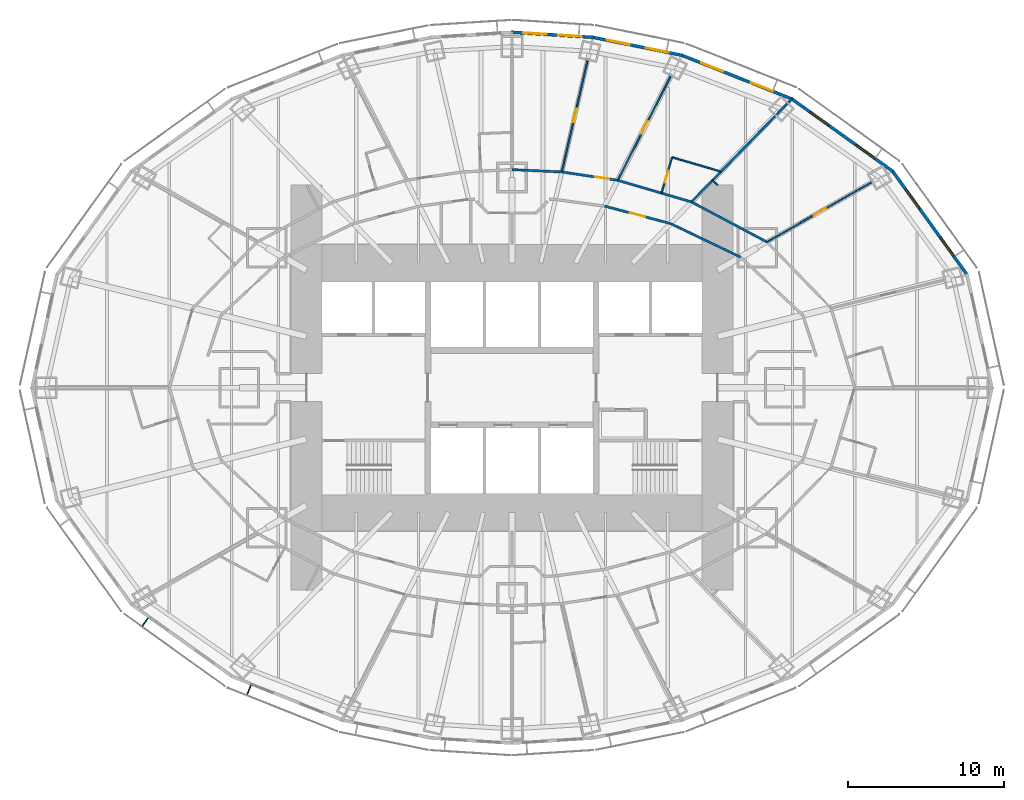
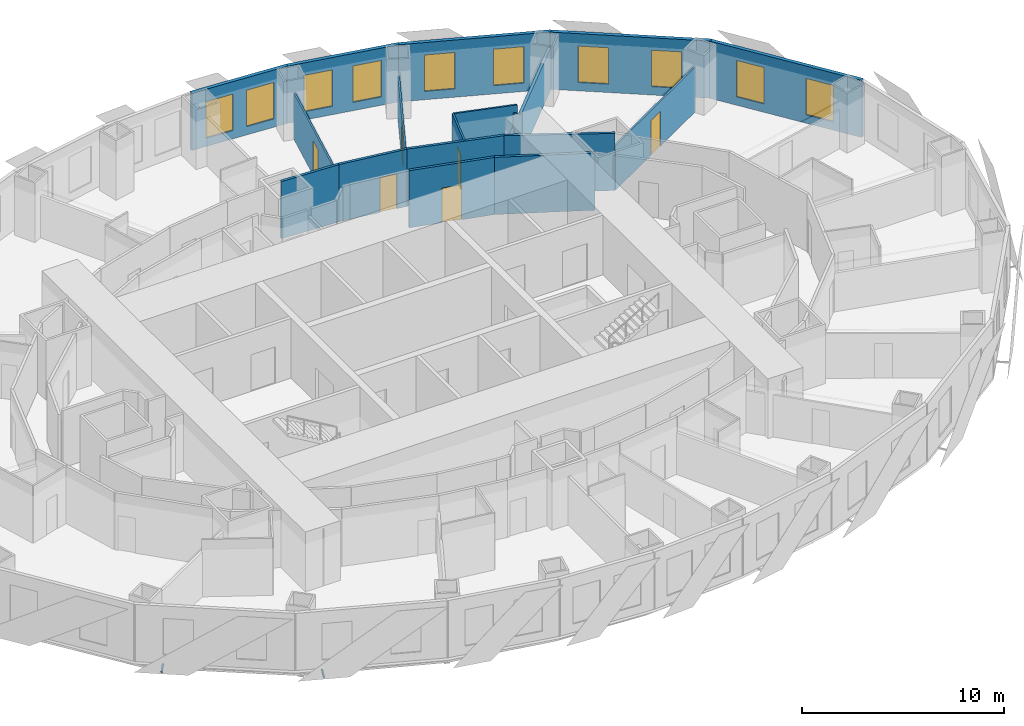
# One storey, part 10 of 15: 18 walls, 10 windows, 6 doors, 2 discrete accessories, 16 openings.
"""IFC4 building model written with IfcOpenShell, lengths in metres."""

import ifcopenshell
import ifcopenshell.guid

model = None  # the IFC model being written
_history = None  # IfcOwnerHistory: only IFC2X3 demands one
_inside = {}  # id of a spatial element -> (the spatial element, [elements in it])
_under = {}  # id of a project, library or spatial element -> (it, [spatial elements below it])
_declared = {}  # id of a project -> (the project, [libraries it declares])
_typed = {}  # id of a type object -> (the type object, [elements of that type])
_made_of = {}  # id of a material, layer set ... -> (it, [elements and type objects made of it])


def new_model(schema):
    """Start an empty IFC model of exactly this schema.

    Asked for "IFC4X3", IfcOpenShell would pick the latest addendum, in which some entities
    have other attributes; the version numbers below select the first issue.
    IFC2X3 requires an IfcOwnerHistory on every rooted entity: one is made here for all.
    """
    global model, _history
    if schema == "IFC4X3":
        model = ifcopenshell.file(schema_version=(4, 3, 0, 0))
    else:
        model = ifcopenshell.file(schema=schema)
    _inside.clear()
    _under.clear()
    _declared.clear()
    _typed.clear()
    _made_of.clear()
    _history = None
    if model.schema == "IFC2X3":
        org = make("IfcOrganization", Name="unknown")
        user = make(
            "IfcPersonAndOrganization",
            ThePerson=make("IfcPerson", FamilyName="unknown"),
            TheOrganization=org,
        )
        app = make(
            "IfcApplication",
            ApplicationDeveloper=org,
            Version="unknown",
            ApplicationFullName="unknown",
            ApplicationIdentifier="unknown",
        )
        _history = make(
            "IfcOwnerHistory",
            OwningUser=user,
            OwningApplication=app,
            ChangeAction="ADDED",
            CreationDate=0,
        )
    return model


def make(cls, **values):
    """One entity of the class cls with the attributes given. An attribute that is None is left unset."""
    return model.create_entity(
        cls, **{name: value for name, value in values.items() if value is not None}
    )


def rooted(cls, **values):
    """An entity with a GlobalId (a new one), such as an element, a storey or a relation."""
    return make(cls, GlobalId=ifcopenshell.guid.new(), OwnerHistory=_history, **values)


def si_unit(unit_type, name, prefix=None):
    """IfcSIUnit, for example si_unit("LENGTHUNIT", "METRE", prefix="MILLI")."""
    return make("IfcSIUnit", UnitType=unit_type, Prefix=prefix, Name=name)


def assignment(units):
    """IfcUnitAssignment: the units of a project."""
    return None if units is None else make("IfcUnitAssignment", Units=units)


def point(xyz):
    """IfcCartesianPoint."""
    return None if xyz is None else make("IfcCartesianPoint", Coordinates=xyz)


def direction(xyz):
    """IfcDirection."""
    return None if xyz is None else make("IfcDirection", DirectionRatios=xyz)


def frame(location, z_axis=None, x_axis=None):
    """IfcAxis2Placement3D, a coordinate frame: its origin and axes. An axis left out is left unset."""
    return make(
        "IfcAxis2Placement3D",
        Location=point(location),
        Axis=direction(z_axis),
        RefDirection=direction(x_axis),
    )


def frame_2d(location, x_axis=None):
    """IfcAxis2Placement2D, a coordinate frame in the plane: its origin and x axis."""
    return make(
        "IfcAxis2Placement2D", Location=point(location), RefDirection=direction(x_axis)
    )


def origin():
    """The frame at (0, 0, 0) with its axes left unset."""
    return frame((0.0, 0.0, 0.0))


def origin_2d():
    """The frame at (0, 0) in the plane with its x axis left unset."""
    return frame_2d((0.0, 0.0))


def place(relative_to, where):
    """IfcLocalPlacement: puts the frame where relative to a parent placement (None: the world)."""
    return make(
        "IfcLocalPlacement", PlacementRelTo=relative_to, RelativePlacement=where
    )


def context(
    kind, dimensions, precision=None, world=None, true_north=None, identifier=None
):
    """IfcGeometricRepresentationContext, for example the 3D "Model" context."""
    return make(
        "IfcGeometricRepresentationContext",
        ContextIdentifier=identifier,
        ContextType=kind,
        CoordinateSpaceDimension=dimensions,
        Precision=precision,
        WorldCoordinateSystem=world,
        TrueNorth=true_north,
    )


def subcontext(parent, identifier, kind, view, scale=None):
    """IfcGeometricRepresentationSubContext, for example "Body" below "Model"."""
    return make(
        "IfcGeometricRepresentationSubContext",
        ContextIdentifier=identifier,
        ContextType=kind,
        ParentContext=parent,
        TargetScale=scale,
        TargetView=view,
    )


def project(units=None, contexts=None):
    """IfcProject with its units and contexts."""
    return rooted(
        "IfcProject",
        Name="project",
        RepresentationContexts=contexts,
        UnitsInContext=assignment(units),
    )


def spatial(cls, under=None, at=None, **own):
    """A site, building, storey or space (cls), placed at a placement, below another one or the project."""
    s = rooted(cls, ObjectPlacement=at, **own)
    if under is not None:
        _under.setdefault(under.id(), (under, []))[1].append(s)
    return s


def profile(cls, at=None, kind="AREA", **sizes):
    """A parametric profile (cls). Its sizes go by their IFC names, for example OverallWidth=200.0."""
    return make(cls, ProfileType=kind, Position=at, **sizes)


def rectangle(**sizes):
    """IfcRectangleProfileDef."""
    return profile("IfcRectangleProfileDef", **sizes)


def extrude(swept, where, along, depth):
    """IfcExtrudedAreaSolid: the profile swept, set in the frame where, extruded along a direction by depth."""
    return make(
        "IfcExtrudedAreaSolid",
        SweptArea=swept,
        Position=where,
        ExtrudedDirection=direction(along),
        Depth=depth,
    )


def shape(context_of_items, identifier, shape_type, items):
    """IfcShapeRepresentation: the items that make up one representation, for example the "Body"."""
    return make(
        "IfcShapeRepresentation",
        ContextOfItems=context_of_items,
        RepresentationIdentifier=identifier,
        RepresentationType=shape_type,
        Items=items,
    )


def material(Name=None, Category=None):
    """IfcMaterial."""
    return make("IfcMaterial", Name=Name, Category=Category)


def layer(
    of_material, thickness, ventilated=None, Name=None, Category=None, Priority=None
):
    """IfcMaterialLayer: one layer of a wall or slab, of a material (None: an air gap)."""
    return make(
        "IfcMaterialLayer",
        Material=of_material,
        LayerThickness=thickness,
        IsVentilated=ventilated,
        Name=Name,
        Category=Category,
        Priority=Priority,
    )


def layer_set(layers, Name=None):
    """IfcMaterialLayerSet."""
    return make("IfcMaterialLayerSet", MaterialLayers=layers, LayerSetName=Name)


def made_of(thing, what):
    """Note that an element or type object is made of a material, layer set ...; save() writes the relation."""
    if what is not None:
        _made_of.setdefault(what.id(), (what, []))[1].append(thing)
    return thing


def type_object(cls, material=None, **own):
    """A type object (cls), such as IfcWallType, which elements share."""
    return made_of(rooted(cls, **own), material)


def element(
    cls,
    number,
    at=None,
    inside=None,
    cuts=None,
    type_object=None,
    material=None,
    context=None,
    identifier="Body",
    shape_type=None,
    held_by="IfcProductDefinitionShape",
    body=None,
    shapes=None,
    **own,
):
    """One element of the class cls, such as IfcWall. Its Tag is "e" and its number.

    at: its placement. inside: the storey or other place that contains it. cuts: it is an
    opening in that element (IfcRelVoidsElement). A single representation is given by context,
    identifier, shape_type and body (its items); several are given by shapes. held_by: the class
    of the entity that holds the representations. save() writes the other relations.
    """
    e = rooted(cls, Tag="e%d" % number, ObjectPlacement=at, **own)
    if body is not None:
        shapes = [shape(context, identifier, shape_type, body)]
    if shapes is not None:
        e.Representation = make(held_by, Representations=shapes)
    if inside is not None:
        _inside.setdefault(inside.id(), (inside, []))[1].append(e)
    if cuts is not None:
        rooted(
            "IfcRelVoidsElement", RelatingBuildingElement=cuts, RelatedOpeningElement=e
        )
    if type_object is not None:
        _typed.setdefault(type_object.id(), (type_object, []))[1].append(e)
    return made_of(e, material)


def fill(opening, filler):
    """IfcRelFillsElement: the door or window that sits in an opening."""
    return rooted(
        "IfcRelFillsElement",
        RelatingOpeningElement=opening,
        RelatedBuildingElement=filler,
    )


def aggregate(whole, parts):
    """IfcRelAggregates: a whole, such as a stair, and the parts it consists of."""
    return rooted("IfcRelAggregates", RelatingObject=whole, RelatedObjects=parts)


def save(model, path):
    """Write the relations noted so far, then the file.

    IfcRelAggregates (storeys below a building ...), IfcRelContainedInSpatialStructure (elements
    in a storey), IfcRelDefinesByType, IfcRelAssociatesMaterial and IfcRelDeclares: one each for
    every whole, place, type object, material and project.
    """
    for whole, parts in _under.values():
        aggregate(whole, parts)
    for where, things in _inside.values():
        rooted(
            "IfcRelContainedInSpatialStructure",
            RelatedElements=things,
            RelatingStructure=where,
        )
    for kind, things in _typed.values():
        rooted("IfcRelDefinesByType", RelatedObjects=things, RelatingType=kind)
    for what, things in _made_of.values():
        rooted("IfcRelAssociatesMaterial", RelatedObjects=things, RelatingMaterial=what)
    for by, libraries in _declared.values():
        rooted("IfcRelDeclares", RelatingContext=by, RelatedDefinitions=libraries)
    model.write(path)


model = new_model("IFC4")

# Units and contexts
model_context = context("Model", 3, precision=1e-05, world=origin(), true_north=direction((0.0, 1.0)))
body_context = subcontext(model_context, "Body", "Model", "MODEL_VIEW")
ifc_project = project(units=[si_unit("LENGTHUNIT", "METRE"), si_unit("AREAUNIT", "SQUARE_METRE"), si_unit("VOLUMEUNIT", "CUBIC_METRE"), si_unit("PLANEANGLEUNIT", "RADIAN"), si_unit("MASSUNIT", "GRAM", prefix="KILO")], contexts=[model_context])

# Site, building, storey
site_placement = place(None, origin())
site = spatial("IfcSite", under=ifc_project, at=site_placement, CompositionType="ELEMENT")
building_placement = place(site_placement, origin())
building = spatial("IfcBuilding", under=site, at=building_placement, Name="Lantaw Convention Tower", CompositionType="ELEMENT")
storey_placement = place(building_placement, frame((0.0, 0.0, 80.199951171875)))
storey = spatial("IfcBuildingStorey", under=building, at=storey_placement, Name="L18", CompositionType="ELEMENT", Elevation=80.199951171875)

# Wall, opening, door
ifc_material_1 = material(Name="Moisture resistant gypsum board on steel studs", Category="steel")
ifc_layer_1 = layer(ifc_material_1, 0.10009765625)
ifc_layer_set_1 = layer_set([ifc_layer_1], Name="Bathroom wall 100")
wall_type_1 = type_object("IfcWallType", Name="Bathroom wall 100", PredefinedType="PARTITIONING", material=ifc_layer_set_1)
wall_1_placement = place(storey_placement, frame((9.599609375, 12.4912109375, 0.0), z_axis=(0.0, 0.0, 1.0), x_axis=(0.281687126576, 0.959506311976, 0.0)))
wall_1 = element("IfcWall", 1, at=wall_1_placement, inside=storey, type_object=wall_type_1, Name="Bathroom wall 100", PredefinedType="PARTITIONING", context=body_context, shape_type="SweptSolid", body=[
    extrude(rectangle(XDim=2.39990234375, YDim=0.10009765625, at=frame_2d((1.199951171875, 0.0))), origin(), (0.0, 0.0, 1.0), 3.449951171875),
])
opening_1_placement = place(wall_1_placement, frame((0.699951171875, 0.0, 0.0)))
opening_1 = element("IfcOpeningElement", 2, at=opening_1_placement, cuts=wall_1, Name="Opening L18.29", PredefinedType="OPENING", context=body_context, shape_type="SweptSolid", body=[
    extrude(rectangle(XDim=0.800048828125, YDim=2.10009765625, at=frame_2d((0.39990234375, 1.050048828125))), frame((0.0, 0.06005859375, 0.0), z_axis=(0.0, -1.0, 0.0), x_axis=(1.0, 0.0, 0.0)), (0.0, 0.0, 1.0), 0.1201171875),
])
ifc_material_2 = material(Name="Timber", Category="wood")
door_type_1 = type_object("IfcDoorType", Name="Bathroom door 800", OperationType="SINGLE_SWING_LEFT", PredefinedType="DOOR", material=ifc_material_2)
door_1_placement = place(opening_1_placement, origin())
door_1 = element("IfcDoor", 3, at=door_1_placement, inside=storey, type_object=door_type_1, Name="Bathroom door", OperationType="SINGLE_SWING_LEFT", OverallHeight=2.10009765625, OverallWidth=0.800048828125, PredefinedType="DOOR", context=body_context, shape_type="SweptSolid", body=[
    extrude(rectangle(XDim=0.800048828125, YDim=2.10009765625, at=frame_2d((0.39990234375, 1.050048828125))), frame((0.0, 0.02490234375, 0.0), z_axis=(0.0, -1.0, 0.0), x_axis=(1.0, 0.0, 0.0)), (0.0, 0.0, 1.0), 0.050048828125),
])
fill(opening_1, door_1)

# Walls
wall_2_placement = place(storey_placement, frame((10.275634765625, 14.7939453125, 0.0), z_axis=(0.0, 0.0, 1.0), x_axis=(0.959495516486, -0.281723896473, 0.0)))
element("IfcWall", 4, at=wall_2_placement, inside=storey, type_object=wall_type_1, Name="Bathroom wall 100", PredefinedType="PARTITIONING", context=body_context, shape_type="SweptSolid", body=[
    extrude(rectangle(XDim=3.256591796875, YDim=0.10009765625, at=frame_2d((1.62841796875, 0.0))), origin(), (0.0, 0.0, 1.0), 3.449951171875),
])
ifc_material_3 = material(Name="Gypsum board on steel studs, fire rated", Category="steel")
ifc_layer_2 = layer(ifc_material_3, 0.14990234375)
ifc_layer_set_2 = layer_set([ifc_layer_2], Name="Corridor wall 150 EI 60")
wall_type_2 = type_object("IfcWallType", Name="Corridor wall 150 EI 60", PredefinedType="PARTITIONING", material=ifc_layer_set_2)
wall_3_placement = place(storey_placement, frame((16.369140625, 9.353759765625, 0.0), z_axis=(0.0, 0.0, 1.0), x_axis=(-0.883334368785, 0.468743419071, 0.0)))
element("IfcWall", 5, at=wall_3_placement, inside=storey, type_object=wall_type_2, Name="Corridor wall 150", PredefinedType="PARTITIONING", context=body_context, shape_type="SweptSolid", body=[
    extrude(rectangle(XDim=5.4912109375, YDim=0.14990234375, at=frame_2d((2.74560546875, 0.0))), origin(), (0.0, 0.0, 1.0), 3.449951171875),
])
wall_4_placement = place(storey_placement, frame((11.5185546875, 11.927734375, 0.0), z_axis=(0.0, 0.0, 1.0), x_axis=(-0.959496227294, 0.281721475589, 0.0)))
element("IfcWall", 6, at=wall_4_placement, inside=storey, type_object=wall_type_2, Name="Corridor wall 150", PredefinedType="PARTITIONING", context=body_context, shape_type="SweptSolid", body=[
    extrude(rectangle(XDim=4.9326171875, YDim=0.14990234375, at=frame_2d((2.46630859375, 0.0))), origin(), (0.0, 0.0, 1.0), 3.449951171875),
])

# Wall, opening, door
wall_5_placement = place(storey_placement, frame((6.78564453125, 13.3173828125, 0.0), z_axis=(0.0, 0.0, 1.0), x_axis=(-0.989107488999, 0.14719502439, 0.0)))
wall_5 = element("IfcWall", 7, at=wall_5_placement, inside=storey, type_object=wall_type_2, Name="Corridor wall 150", PredefinedType="PARTITIONING", context=body_context, shape_type="SweptSolid", body=[
    extrude(rectangle(XDim=3.62744140625, YDim=0.14990234375, at=frame_2d((1.813720703125, 0.0))), origin(), (0.0, 0.0, 1.0), 3.449951171875),
])
opening_2_placement = place(wall_5_placement, frame((0.554443359375, 0.0, 0.0)))
opening_2 = element("IfcOpeningElement", 8, at=opening_2_placement, cuts=wall_5, Name="Opening L18.32", PredefinedType="OPENING", context=body_context, shape_type="SweptSolid", body=[
    extrude(rectangle(XDim=0.89990234375, YDim=2.10009765625, at=frame_2d((0.449951171875, 1.050048828125))), frame((0.0, 0.0849609375, 0.0), z_axis=(0.0, -1.0, 0.0), x_axis=(1.0, 0.0, 0.0)), (0.0, 0.0, 1.0), 0.169921875),
])
ifc_material_4 = material(Name="Steel, fire rated", Category="steel")
door_type_2 = type_object("IfcDoorType", Name="Guest room entrance door FD30S", OperationType="SINGLE_SWING_LEFT", PredefinedType="DOOR", material=ifc_material_4)
door_2_placement = place(opening_2_placement, origin())
door_2 = element("IfcDoor", 9, at=door_2_placement, inside=storey, type_object=door_type_2, Name="Suite entrance door", OperationType="SINGLE_SWING_LEFT", OverallHeight=2.10009765625, OverallWidth=0.89990234375, PredefinedType="DOOR", context=body_context, shape_type="SweptSolid", body=[
    extrude(rectangle(XDim=0.89990234375, YDim=2.10009765625, at=frame_2d((0.449951171875, 1.050048828125))), frame((0.0, 0.02490234375, 0.0), z_axis=(0.0, -1.0, 0.0), x_axis=(1.0, 0.0, 0.0)), (0.0, 0.0, 1.0), 0.050048828125),
])
fill(opening_2, door_2)

# Walls
wall_6_placement = place(storey_placement, frame((3.19775390625, 13.851318359375, 0.0), z_axis=(0.0, 0.0, 1.0), x_axis=(-0.998920826789, 0.046445471333, 0.0)))
element("IfcWall", 10, at=wall_6_placement, inside=storey, type_object=wall_type_2, Name="Corridor wall 150", PredefinedType="PARTITIONING", context=body_context, shape_type="SweptSolid", body=[
    extrude(rectangle(XDim=3.201171875, YDim=0.14990234375, at=frame_2d((1.6005859375, 0.0))), origin(), (0.0, 0.0, 1.0), 3.449951171875),
])
wall_7_placement = place(storey_placement, frame((14.67333984375, 8.384765625, 0.0), z_axis=(0.0, 0.0, 1.0), x_axis=(-0.901869692799, 0.43200816799, 0.0)))
element("IfcWall", 11, at=wall_7_placement, inside=storey, type_object=wall_type_2, Name="Corridor wall 150", PredefinedType="PARTITIONING", context=body_context, shape_type="SweptSolid", body=[
    extrude(rectangle(XDim=4.985595703125, YDim=0.14990234375, at=frame_2d((2.49267578125, 0.0))), origin(), (0.0, 0.0, 1.0), 3.449951171875),
])

# Wall, opening, door
wall_8_placement = place(storey_placement, frame((10.177001953125, 10.53857421875, 0.0), z_axis=(0.0, 0.0, 1.0), x_axis=(-0.966672790407, 0.256015070428, 0.0)))
wall_8 = element("IfcWall", 12, at=wall_8_placement, inside=storey, type_object=wall_type_2, Name="Corridor wall 150", PredefinedType="PARTITIONING", context=body_context, shape_type="SweptSolid", body=[
    extrude(rectangle(XDim=4.3818359375, YDim=0.14990234375, at=frame_2d((2.19091796875, 0.0))), origin(), (0.0, 0.0, 1.0), 3.449951171875),
])
opening_3_placement = place(wall_8_placement, frame((1.69091796875, 0.0, 0.0)))
opening_3 = element("IfcOpeningElement", 13, at=opening_3_placement, cuts=wall_8, Name="Opening L18.16", PredefinedType="OPENING", context=body_context, shape_type="SweptSolid", body=[
    extrude(rectangle(XDim=1.0, YDim=2.10009765625, at=frame_2d((0.5, 1.050048828125))), frame((0.0, 0.0849609375, 0.0), z_axis=(0.0, -1.0, 0.0), x_axis=(1.0, 0.0, 0.0)), (0.0, 0.0, 1.0), 0.169921875),
])
door_type_3 = type_object("IfcDoorType", Name="Service door 1000 FD30", OperationType="SINGLE_SWING_LEFT", PredefinedType="DOOR", material=ifc_material_4)
door_3_placement = place(opening_3_placement, origin())
door_3 = element("IfcDoor", 14, at=door_3_placement, inside=storey, type_object=door_type_3, Name="Linen store door", OperationType="SINGLE_SWING_LEFT", OverallHeight=2.10009765625, OverallWidth=1.0, PredefinedType="DOOR", context=body_context, shape_type="SweptSolid", body=[
    extrude(rectangle(XDim=1.0, YDim=2.10009765625, at=frame_2d((0.5, 1.050048828125))), frame((0.0, 0.02490234375, 0.0), z_axis=(0.0, -1.0, 0.0), x_axis=(1.0, 0.0, 0.0)), (0.0, 0.0, 1.0), 0.050048828125),
])
fill(opening_3, door_3)

# Wall, openings, windows
ifc_material_5 = material(Name="Insulated aluminium panel on steel frame", Category="steel")
ifc_layer_3 = layer(ifc_material_5, 0.199951171875)
ifc_layer_set_3 = layer_set([ifc_layer_3], Name="External wall 200")
wall_type_3 = type_object("IfcWallType", Name="External wall 200", PredefinedType="SOLIDWALL", material=ifc_layer_set_3)
wall_9_placement = place(storey_placement, frame((29.260498046875, 7.199951171875, 0.0), z_axis=(0.0, 0.0, 1.0), x_axis=(-0.583937613703, 0.811798536155, 0.0)))
wall_9 = element("IfcWall", 15, at=wall_9_placement, inside=storey, type_object=wall_type_3, Name="Facade panel wall", PredefinedType="SOLIDWALL", context=body_context, shape_type="SweptSolid", body=[
    extrude(rectangle(XDim=8.322998046875, YDim=0.199951171875, at=frame_2d((4.16162109375, 0.0))), origin(), (0.0, 0.0, 1.0), 3.449951171875),
])
opening_4_placement = place(wall_9_placement, frame((1.53076171875, 0.0, 0.5)))
opening_4 = element("IfcOpeningElement", 16, at=opening_4_placement, cuts=wall_9, Name="Opening W2", PredefinedType="OPENING", context=body_context, shape_type="SweptSolid", body=[
    extrude(rectangle(XDim=1.5, YDim=2.199951171875, at=frame_2d((0.75, 1.10009765625))), frame((0.0, 0.10986328125, 0.0), z_axis=(0.0, -1.0, 0.0), x_axis=(1.0, 0.0, 0.0)), (0.0, 0.0, 1.0), 0.219970703125),
])
opening_5_placement = place(wall_9_placement, frame((5.292236328125, 0.0, 0.5)))
opening_5 = element("IfcOpeningElement", 17, at=opening_5_placement, cuts=wall_9, Name="Opening W2", PredefinedType="OPENING", context=body_context, shape_type="SweptSolid", body=[
    extrude(rectangle(XDim=1.5, YDim=2.199951171875, at=frame_2d((0.75, 1.10009765625))), frame((0.0, 0.10986328125, 0.0), z_axis=(0.0, -1.0, 0.0), x_axis=(1.0, 0.0, 0.0)), (0.0, 0.0, 1.0), 0.219970703125),
])
ifc_material_6 = material(Name="Aluminium frame, clear insulating glass", Category="aluminium")
window_type = type_object("IfcWindowType", Name="Suite window 1500x2200", PartitioningType="SINGLE_PANEL", PredefinedType="WINDOW", material=ifc_material_6)
window_1_placement = place(opening_4_placement, origin())
window_1 = element("IfcWindow", 18, at=window_1_placement, inside=storey, type_object=window_type, Name="Guest room window", OverallHeight=2.199951171875, OverallWidth=1.5, PartitioningType="SINGLE_PANEL", PredefinedType="WINDOW", context=body_context, shape_type="SweptSolid", body=[
    extrude(rectangle(XDim=1.5, YDim=2.199951171875, at=frame_2d((0.75, 1.10009765625))), frame((0.0, 0.030029296875, 0.0), z_axis=(0.0, -1.0, 0.0), x_axis=(1.0, 0.0, 0.0)), (0.0, 0.0, 1.0), 0.06005859375),
])
fill(opening_4, window_1)
window_2_placement = place(opening_5_placement, origin())
window_2 = element("IfcWindow", 19, at=window_2_placement, inside=storey, type_object=window_type, Name="Guest room window", OverallHeight=2.199951171875, OverallWidth=1.5, PartitioningType="SINGLE_PANEL", PredefinedType="WINDOW", context=body_context, shape_type="SweptSolid", body=[
    extrude(rectangle(XDim=1.5, YDim=2.199951171875, at=frame_2d((0.75, 1.10009765625))), frame((0.0, 0.030029296875, 0.0), z_axis=(0.0, -1.0, 0.0), x_axis=(1.0, 0.0, 0.0)), (0.0, 0.0, 1.0), 0.06005859375),
])
fill(opening_5, window_2)

wall_10_placement = place(storey_placement, frame((24.482421875, 13.87451171875, 0.0), z_axis=(0.0, 0.0, 1.0), x_axis=(-0.812791321576, 0.582554948112, 0.0)))
wall_10 = element("IfcWall", 20, at=wall_10_placement, inside=storey, type_object=wall_type_3, Name="Facade panel wall", PredefinedType="SOLIDWALL", context=body_context, shape_type="SweptSolid", body=[
    extrude(rectangle(XDim=8.063232421875, YDim=0.199951171875, at=frame_2d((4.03173828125, 0.0))), origin(), (0.0, 0.0, 1.0), 3.449951171875),
])
opening_6_placement = place(wall_10_placement, frame((1.4658203125, 0.0, 0.5)))
opening_6 = element("IfcOpeningElement", 21, at=opening_6_placement, cuts=wall_10, Name="Opening W2", PredefinedType="OPENING", context=body_context, shape_type="SweptSolid", body=[
    extrude(rectangle(XDim=1.5, YDim=2.199951171875, at=frame_2d((0.75, 1.10009765625))), frame((0.0, 0.10986328125, 0.0), z_axis=(0.0, -1.0, 0.0), x_axis=(1.0, 0.0, 0.0)), (0.0, 0.0, 1.0), 0.219970703125),
])
opening_7_placement = place(wall_10_placement, frame((5.097412109375, 0.0, 0.5)))
opening_7 = element("IfcOpeningElement", 22, at=opening_7_placement, cuts=wall_10, Name="Opening W2", PredefinedType="OPENING", context=body_context, shape_type="SweptSolid", body=[
    extrude(rectangle(XDim=1.5, YDim=2.199951171875, at=frame_2d((0.75, 1.10009765625))), frame((0.0, 0.10986328125, 0.0), z_axis=(0.0, -1.0, 0.0), x_axis=(1.0, 0.0, 0.0)), (0.0, 0.0, 1.0), 0.219970703125),
])
window_3_placement = place(opening_6_placement, origin())
window_3 = element("IfcWindow", 23, at=window_3_placement, inside=storey, type_object=window_type, Name="Guest room window", OverallHeight=2.199951171875, OverallWidth=1.5, PartitioningType="SINGLE_PANEL", PredefinedType="WINDOW", context=body_context, shape_type="SweptSolid", body=[
    extrude(rectangle(XDim=1.5, YDim=2.199951171875, at=frame_2d((0.75, 1.10009765625))), frame((0.0, 0.030029296875, 0.0), z_axis=(0.0, -1.0, 0.0), x_axis=(1.0, 0.0, 0.0)), (0.0, 0.0, 1.0), 0.06005859375),
])
fill(opening_6, window_3)
window_4_placement = place(opening_7_placement, origin())
window_4 = element("IfcWindow", 24, at=window_4_placement, inside=storey, type_object=window_type, Name="Guest room window", OverallHeight=2.199951171875, OverallWidth=1.5, PartitioningType="SINGLE_PANEL", PredefinedType="WINDOW", context=body_context, shape_type="SweptSolid", body=[
    extrude(rectangle(XDim=1.5, YDim=2.199951171875, at=frame_2d((0.75, 1.10009765625))), frame((0.0, 0.030029296875, 0.0), z_axis=(0.0, -1.0, 0.0), x_axis=(1.0, 0.0, 0.0)), (0.0, 0.0, 1.0), 0.06005859375),
])
fill(opening_7, window_4)

wall_11_placement = place(storey_placement, frame((18.018310546875, 18.522705078125, 0.0), z_axis=(0.0, 0.0, 1.0), x_axis=(-0.929358351251, 0.369178892895, 0.0)))
wall_11 = element("IfcWall", 25, at=wall_11_placement, inside=storey, type_object=wall_type_3, Name="Facade panel wall", PredefinedType="SOLIDWALL", context=body_context, shape_type="SweptSolid", body=[
    extrude(rectangle(XDim=7.6923828125, YDim=0.199951171875, at=frame_2d((3.84619140625, 0.0))), origin(), (0.0, 0.0, 1.0), 3.449951171875),
])
opening_8_placement = place(wall_11_placement, frame((1.373046875, 0.0, 0.5)))
opening_8 = element("IfcOpeningElement", 26, at=opening_8_placement, cuts=wall_11, Name="Opening W2", PredefinedType="OPENING", context=body_context, shape_type="SweptSolid", body=[
    extrude(rectangle(XDim=1.5, YDim=2.199951171875, at=frame_2d((0.75, 1.10009765625))), frame((0.0, 0.10986328125, 0.0), z_axis=(0.0, -1.0, 0.0), x_axis=(1.0, 0.0, 0.0)), (0.0, 0.0, 1.0), 0.219970703125),
])
opening_9_placement = place(wall_11_placement, frame((4.819091796875, 0.0, 0.5)))
opening_9 = element("IfcOpeningElement", 27, at=opening_9_placement, cuts=wall_11, Name="Opening W2", PredefinedType="OPENING", context=body_context, shape_type="SweptSolid", body=[
    extrude(rectangle(XDim=1.5, YDim=2.199951171875, at=frame_2d((0.75, 1.10009765625))), frame((0.0, 0.10986328125, 0.0), z_axis=(0.0, -1.0, 0.0), x_axis=(1.0, 0.0, 0.0)), (0.0, 0.0, 1.0), 0.219970703125),
])
window_5_placement = place(opening_8_placement, origin())
window_5 = element("IfcWindow", 28, at=window_5_placement, inside=storey, type_object=window_type, Name="Guest room window", OverallHeight=2.199951171875, OverallWidth=1.5, PartitioningType="SINGLE_PANEL", PredefinedType="WINDOW", context=body_context, shape_type="SweptSolid", body=[
    extrude(rectangle(XDim=1.5, YDim=2.199951171875, at=frame_2d((0.75, 1.10009765625))), frame((0.0, 0.030029296875, 0.0), z_axis=(0.0, -1.0, 0.0), x_axis=(1.0, 0.0, 0.0)), (0.0, 0.0, 1.0), 0.06005859375),
])
fill(opening_8, window_5)
window_6_placement = place(opening_9_placement, origin())
window_6 = element("IfcWindow", 29, at=window_6_placement, inside=storey, type_object=window_type, Name="Guest room window", OverallHeight=2.199951171875, OverallWidth=1.5, PartitioningType="SINGLE_PANEL", PredefinedType="WINDOW", context=body_context, shape_type="SweptSolid", body=[
    extrude(rectangle(XDim=1.5, YDim=2.199951171875, at=frame_2d((0.75, 1.10009765625))), frame((0.0, 0.030029296875, 0.0), z_axis=(0.0, -1.0, 0.0), x_axis=(1.0, 0.0, 0.0)), (0.0, 0.0, 1.0), 0.06005859375),
])
fill(opening_9, window_6)

wall_12_placement = place(storey_placement, frame((10.956787109375, 21.336669921875, 0.0), z_axis=(0.0, 0.0, 1.0), x_axis=(-0.980251657452, 0.197754110105, 0.0)))
wall_12 = element("IfcWall", 30, at=wall_12_placement, inside=storey, type_object=wall_type_3, Name="Facade panel wall", PredefinedType="SOLIDWALL", context=body_context, shape_type="SweptSolid", body=[
    extrude(rectangle(XDim=5.90380859375, YDim=0.199951171875, at=frame_2d((2.951904296875, 0.0))), origin(), (0.0, 0.0, 1.0), 3.449951171875),
])
opening_10_placement = place(wall_12_placement, frame((0.92578125, 0.0, 0.5)))
opening_10 = element("IfcOpeningElement", 31, at=opening_10_placement, cuts=wall_12, Name="Opening W2", PredefinedType="OPENING", context=body_context, shape_type="SweptSolid", body=[
    extrude(rectangle(XDim=1.5, YDim=2.199951171875, at=frame_2d((0.75, 1.10009765625))), frame((0.0, 0.10986328125, 0.0), z_axis=(0.0, -1.0, 0.0), x_axis=(1.0, 0.0, 0.0)), (0.0, 0.0, 1.0), 0.219970703125),
])
opening_11_placement = place(wall_12_placement, frame((3.477783203125, 0.0, 0.5)))
opening_11 = element("IfcOpeningElement", 32, at=opening_11_placement, cuts=wall_12, Name="Opening W2", PredefinedType="OPENING", context=body_context, shape_type="SweptSolid", body=[
    extrude(rectangle(XDim=1.5, YDim=2.199951171875, at=frame_2d((0.75, 1.10009765625))), frame((0.0, 0.10986328125, 0.0), z_axis=(0.0, -1.0, 0.0), x_axis=(1.0, 0.0, 0.0)), (0.0, 0.0, 1.0), 0.219970703125),
])
window_7_placement = place(opening_10_placement, origin())
window_7 = element("IfcWindow", 33, at=window_7_placement, inside=storey, type_object=window_type, Name="Guest room window", OverallHeight=2.199951171875, OverallWidth=1.5, PartitioningType="SINGLE_PANEL", PredefinedType="WINDOW", context=body_context, shape_type="SweptSolid", body=[
    extrude(rectangle(XDim=1.5, YDim=2.199951171875, at=frame_2d((0.75, 1.10009765625))), frame((0.0, 0.030029296875, 0.0), z_axis=(0.0, -1.0, 0.0), x_axis=(1.0, 0.0, 0.0)), (0.0, 0.0, 1.0), 0.06005859375),
])
fill(opening_10, window_7)
window_8_placement = place(opening_11_placement, origin())
window_8 = element("IfcWindow", 34, at=window_8_placement, inside=storey, type_object=window_type, Name="Guest room window", OverallHeight=2.199951171875, OverallWidth=1.5, PartitioningType="SINGLE_PANEL", PredefinedType="WINDOW", context=body_context, shape_type="SweptSolid", body=[
    extrude(rectangle(XDim=1.5, YDim=2.199951171875, at=frame_2d((0.75, 1.10009765625))), frame((0.0, 0.030029296875, 0.0), z_axis=(0.0, -1.0, 0.0), x_axis=(1.0, 0.0, 0.0)), (0.0, 0.0, 1.0), 0.06005859375),
])
fill(opening_11, window_8)

wall_13_placement = place(storey_placement, frame((5.252685546875, 22.493408203125, 0.0), z_axis=(0.0, 0.0, 1.0), x_axis=(-0.998018582375, 0.062919863585, 0.0)))
wall_13 = element("IfcWall", 35, at=wall_13_placement, inside=storey, type_object=wall_type_3, Name="Facade panel wall", PredefinedType="SOLIDWALL", context=body_context, shape_type="SweptSolid", body=[
    extrude(rectangle(XDim=5.30419921875, YDim=0.199951171875, at=frame_2d((2.652099609375, 0.0))), origin(), (0.0, 0.0, 1.0), 3.449951171875),
])
opening_12_placement = place(wall_13_placement, frame((0.77587890625, 0.0, 0.5)))
opening_12 = element("IfcOpeningElement", 36, at=opening_12_placement, cuts=wall_13, Name="Opening W2", PredefinedType="OPENING", context=body_context, shape_type="SweptSolid", body=[
    extrude(rectangle(XDim=1.5, YDim=2.199951171875, at=frame_2d((0.75, 1.10009765625))), frame((0.0, 0.10986328125, 0.0), z_axis=(0.0, -1.0, 0.0), x_axis=(1.0, 0.0, 0.0)), (0.0, 0.0, 1.0), 0.219970703125),
])
opening_13_placement = place(wall_13_placement, frame((3.028076171875, 0.0, 0.5)))
opening_13 = element("IfcOpeningElement", 37, at=opening_13_placement, cuts=wall_13, Name="Opening W2", PredefinedType="OPENING", context=body_context, shape_type="SweptSolid", body=[
    extrude(rectangle(XDim=1.5, YDim=2.199951171875, at=frame_2d((0.75, 1.10009765625))), frame((0.0, 0.10986328125, 0.0), z_axis=(0.0, -1.0, 0.0), x_axis=(1.0, 0.0, 0.0)), (0.0, 0.0, 1.0), 0.219970703125),
])
window_9_placement = place(opening_12_placement, origin())
window_9 = element("IfcWindow", 38, at=window_9_placement, inside=storey, type_object=window_type, Name="Guest room window", OverallHeight=2.199951171875, OverallWidth=1.5, PartitioningType="SINGLE_PANEL", PredefinedType="WINDOW", context=body_context, shape_type="SweptSolid", body=[
    extrude(rectangle(XDim=1.5, YDim=2.199951171875, at=frame_2d((0.75, 1.10009765625))), frame((0.0, 0.030029296875, 0.0), z_axis=(0.0, -1.0, 0.0), x_axis=(1.0, 0.0, 0.0)), (0.0, 0.0, 1.0), 0.06005859375),
])
fill(opening_12, window_9)
window_10_placement = place(opening_13_placement, origin())
window_10 = element("IfcWindow", 39, at=window_10_placement, inside=storey, type_object=window_type, Name="Guest room window", OverallHeight=2.199951171875, OverallWidth=1.5, PartitioningType="SINGLE_PANEL", PredefinedType="WINDOW", context=body_context, shape_type="SweptSolid", body=[
    extrude(rectangle(XDim=1.5, YDim=2.199951171875, at=frame_2d((0.75, 1.10009765625))), frame((0.0, 0.030029296875, 0.0), z_axis=(0.0, -1.0, 0.0), x_axis=(1.0, 0.0, 0.0)), (0.0, 0.0, 1.0), 0.06005859375),
])
fill(opening_13, window_10)

# Walls
ifc_material_7 = material(Name="Gypsum board on steel studs, acoustic", Category="steel")
ifc_layer_4 = layer(ifc_material_7, 0.14990234375)
ifc_layer_set_4 = layer_set([ifc_layer_4], Name="Guest room party wall 150")
wall_type_4 = type_object("IfcWallType", Name="Guest room party wall 150", PredefinedType="PARTITIONING", material=ifc_layer_set_4)
wall_14_placement = place(storey_placement, frame((17.970458984375, 18.541748046875, 0.0), z_axis=(0.0, 0.0, 1.0), x_axis=(-0.698279935955, -0.715824790743, 0.0)))
element("IfcWall", 40, at=wall_14_placement, inside=storey, type_object=wall_type_4, Name="Guest room party wall 150", PredefinedType="PARTITIONING", context=body_context, shape_type="SweptSolid", body=[
    extrude(rectangle(XDim=9.23974609375, YDim=0.14990234375, at=frame_2d((4.619873046875, 0.0))), origin(), (0.0, 0.0, 1.0), 2.528076171875),
])
ifc_layer_5 = layer(ifc_material_7, 0.10009765625)
ifc_layer_set_5 = layer_set([ifc_layer_5], Name="Office partition 100")
wall_type_5 = type_object("IfcWallType", Name="Office partition 100", PredefinedType="PARTITIONING", material=ifc_layer_set_5)
wall_15_placement = place(storey_placement, frame((13.199951171875, 13.0, 0.0), z_axis=(0.0, 0.0, 1.0), x_axis=(-0.715906247499, 0.698196422786, 0.0)))
element("IfcWall", 41, at=wall_15_placement, inside=storey, type_object=wall_type_5, Name="Office partition 100", PredefinedType="PARTITIONING", context=body_context, shape_type="SweptSolid", body=[
    extrude(rectangle(XDim=0.454833984375, YDim=0.10009765625, at=frame_2d((0.2275390625, 0.0))), origin(), (0.0, 0.0, 1.0), 3.449951171875),
])

# Wall, opening, door
ifc_material_8 = material(Name="Gypsum board on steel studs", Category="steel")
ifc_layer_6 = layer(ifc_material_8, 0.10009765625)
ifc_layer_set_6 = layer_set([ifc_layer_6], Name="Suite partition 100")
wall_type_6 = type_object("IfcWallType", Name="Suite partition 100", PredefinedType="PARTITIONING", material=ifc_layer_set_6)
wall_16_placement = place(storey_placement, frame((23.1708984375, 13.240478515625, 0.0), z_axis=(0.0, 0.0, 1.0), x_axis=(-0.868243142124, -0.496138938357, 0.0)))
wall_16 = element("IfcWall", 42, at=wall_16_placement, inside=storey, type_object=wall_type_6, Name="Suite partition 100", PredefinedType="PARTITIONING", context=body_context, shape_type="SweptSolid", body=[
    extrude(rectangle(XDim=7.833984375, YDim=0.10009765625, at=frame_2d((3.9169921875, 0.0))), origin(), (0.0, 0.0, 1.0), 2.693115234375),
])
opening_14_placement = place(wall_16_placement, frame((3.467041015625, 0.0, 0.0)))
opening_14 = element("IfcOpeningElement", 43, at=opening_14_placement, cuts=wall_16, Name="Opening L18.27", PredefinedType="OPENING", context=body_context, shape_type="SweptSolid", body=[
    extrude(rectangle(XDim=0.89990234375, YDim=2.10009765625, at=frame_2d((0.449951171875, 1.050048828125))), frame((0.0, 0.06005859375, 0.0), z_axis=(0.0, -1.0, 0.0), x_axis=(1.0, 0.0, 0.0)), (0.0, 0.0, 1.0), 0.1201171875),
])
door_type_4 = type_object("IfcDoorType", Name="Suite door 900", OperationType="SINGLE_SWING_LEFT", PredefinedType="DOOR", material=ifc_material_2)
door_4_placement = place(opening_14_placement, origin())
door_4 = element("IfcDoor", 44, at=door_4_placement, inside=storey, type_object=door_type_4, Name="Kitchenette door", OperationType="SINGLE_SWING_LEFT", OverallHeight=2.10009765625, OverallWidth=0.89990234375, PredefinedType="DOOR", context=body_context, shape_type="SweptSolid", body=[
    extrude(rectangle(XDim=0.89990234375, YDim=2.10009765625, at=frame_2d((0.449951171875, 1.050048828125))), frame((0.0, 0.02490234375, 0.0), z_axis=(0.0, -1.0, 0.0), x_axis=(1.0, 0.0, 0.0)), (0.0, 0.0, 1.0), 0.050048828125),
])
fill(opening_14, door_4)

wall_17_placement = place(storey_placement, frame((10.235595703125, 20.08837890625, 0.0), z_axis=(0.0, 0.0, 1.0), x_axis=(-0.453985938962, -0.891008848006, 0.0)))
wall_17 = element("IfcWall", 45, at=wall_17_placement, inside=storey, type_object=wall_type_6, Name="Suite partition 100", PredefinedType="PARTITIONING", context=body_context, shape_type="SweptSolid", body=[
    extrude(rectangle(XDim=7.599365234375, YDim=0.10009765625, at=frame_2d((3.7998046875, 0.0))), origin(), (0.0, 0.0, 1.0), 2.528076171875),
])
opening_15_placement = place(wall_17_placement, frame((3.349609375, 0.0, 0.0)))
opening_15 = element("IfcOpeningElement", 46, at=opening_15_placement, cuts=wall_17, Name="Opening L18.30", PredefinedType="OPENING", context=body_context, shape_type="SweptSolid", body=[
    extrude(rectangle(XDim=0.89990234375, YDim=2.10009765625, at=frame_2d((0.449951171875, 1.050048828125))), frame((0.0, 0.06005859375, 0.0), z_axis=(0.0, -1.0, 0.0), x_axis=(1.0, 0.0, 0.0)), (0.0, 0.0, 1.0), 0.1201171875),
])
door_5_placement = place(opening_15_placement, origin())
door_5 = element("IfcDoor", 47, at=door_5_placement, inside=storey, type_object=door_type_4, Name="Bedroom door", OperationType="SINGLE_SWING_LEFT", OverallHeight=2.10009765625, OverallWidth=0.89990234375, PredefinedType="DOOR", context=body_context, shape_type="SweptSolid", body=[
    extrude(rectangle(XDim=0.89990234375, YDim=2.10009765625, at=frame_2d((0.449951171875, 1.050048828125))), frame((0.0, 0.02490234375, 0.0), z_axis=(0.0, -1.0, 0.0), x_axis=(1.0, 0.0, 0.0)), (0.0, 0.0, 1.0), 0.050048828125),
])
fill(opening_15, door_5)

wall_18_placement = place(storey_placement, frame((4.873779296875, 21.11083984375, 0.0), z_axis=(0.0, 0.0, 1.0), x_axis=(-0.224955233595, -0.97436909992, 0.0)))
wall_18 = element("IfcWall", 48, at=wall_18_placement, inside=storey, type_object=wall_type_6, Name="Suite partition 100", PredefinedType="PARTITIONING", context=body_context, shape_type="SweptSolid", body=[
    extrude(rectangle(XDim=7.450439453125, YDim=0.10009765625, at=frame_2d((3.72509765625, 0.0))), origin(), (0.0, 0.0, 1.0), 2.766845703125),
])
opening_16_placement = place(wall_18_placement, frame((3.275146484375, 0.0, 0.0)))
opening_16 = element("IfcOpeningElement", 49, at=opening_16_placement, cuts=wall_18, Name="Opening L18.31", PredefinedType="OPENING", context=body_context, shape_type="SweptSolid", body=[
    extrude(rectangle(XDim=0.89990234375, YDim=2.10009765625, at=frame_2d((0.449951171875, 1.050048828125))), frame((0.0, 0.06005859375, 0.0), z_axis=(0.0, -1.0, 0.0), x_axis=(1.0, 0.0, 0.0)), (0.0, 0.0, 1.0), 0.1201171875),
])
door_6_placement = place(opening_16_placement, origin())
door_6 = element("IfcDoor", 50, at=door_6_placement, inside=storey, type_object=door_type_4, Name="Kitchenette door", OperationType="SINGLE_SWING_LEFT", OverallHeight=2.10009765625, OverallWidth=0.89990234375, PredefinedType="DOOR", context=body_context, shape_type="SweptSolid", body=[
    extrude(rectangle(XDim=0.89990234375, YDim=2.10009765625, at=frame_2d((0.449951171875, 1.050048828125))), frame((0.0, 0.02490234375, 0.0), z_axis=(0.0, -1.0, 0.0), x_axis=(1.0, 0.0, 0.0)), (0.0, 0.0, 1.0), 0.050048828125),
])
fill(opening_16, door_6)

# Discrete accessories
for number, where, z_axis, x_axis, name in (
    (51, (-23.564453125, -15.06640625, -0.114990234375), (0.0, 0.0, 1.0), (0.812803733199, -0.5825376308, 0.0), "Screen bracket"),
    (52, (-16.898193359375, -19.4345703125, -0.114990234375), (0.0, 0.0, 1.0), (0.929361152748, -0.369171840425, 0.0), "Screen bracket"),
):
    element("IfcDiscreteAccessory", number, at=place(storey_placement, frame(where, z_axis=z_axis, x_axis=x_axis)), inside=storey, Name=name, PredefinedType="BRACKET", context=body_context, shape_type="SweptSolid", body=[
        extrude(rectangle(XDim=0.080078125, YDim=0.68798828125, at=origin_2d()), origin(), (0.0, 0.0, 1.0), 0.080078125),
    ])

save(model, "model.ifc")
